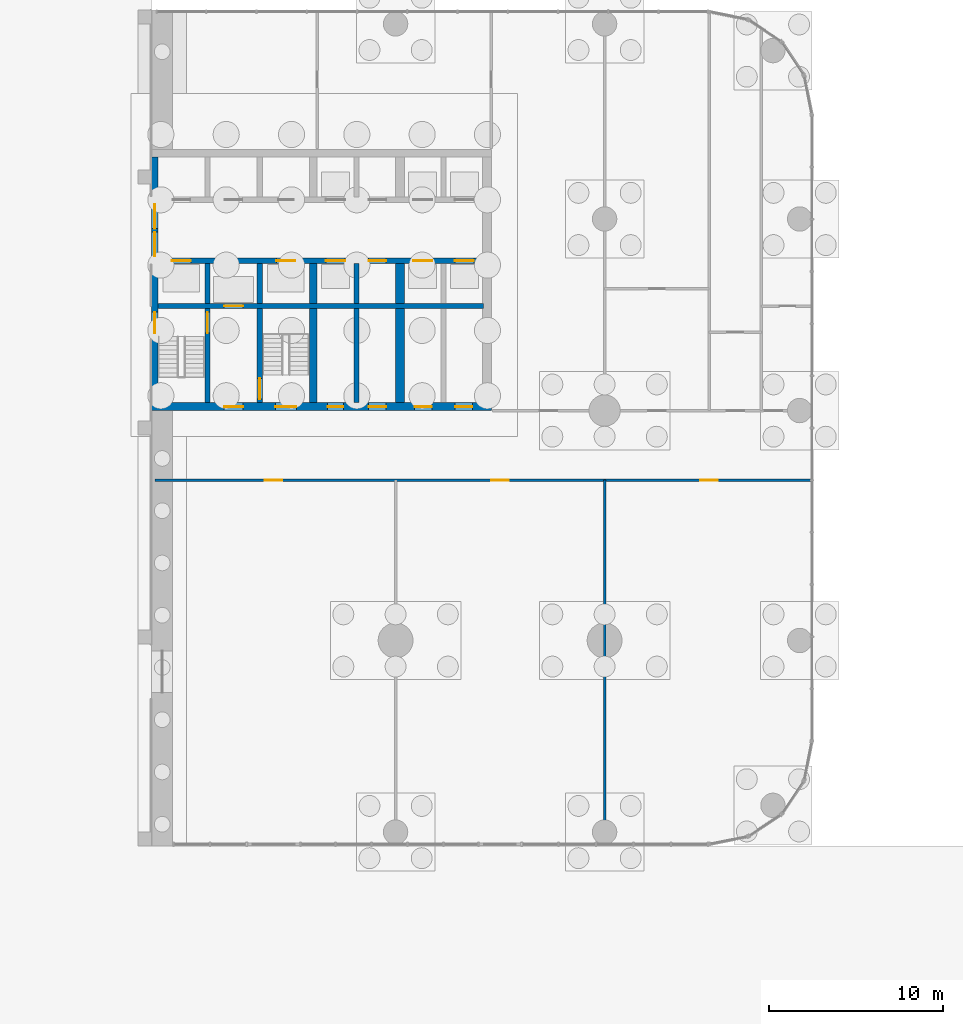
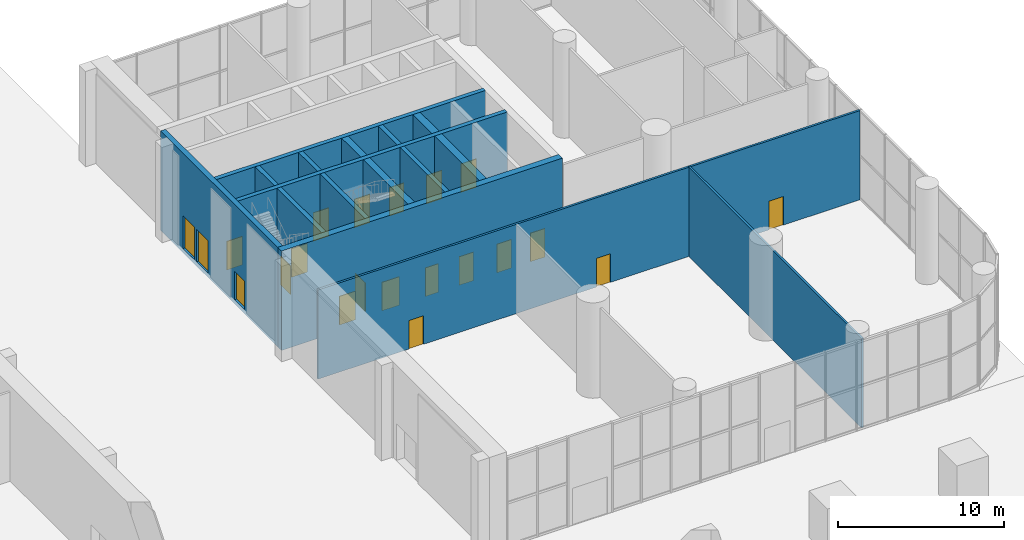
# One storey, part 20 of 26: 21 doors, 16 walls, 21 openings.
"""IFC4 building model written with IfcOpenShell, lengths in metres."""

import ifcopenshell
import ifcopenshell.guid

model = None  # the IFC model being written
_history = None  # IfcOwnerHistory: only IFC2X3 demands one
_inside = {}  # id of a spatial element -> (the spatial element, [elements in it])
_under = {}  # id of a project, library or spatial element -> (it, [spatial elements below it])
_declared = {}  # id of a project -> (the project, [libraries it declares])
_typed = {}  # id of a type object -> (the type object, [elements of that type])
_made_of = {}  # id of a material, layer set ... -> (it, [elements and type objects made of it])


def new_model(schema):
    """Start an empty IFC model of exactly this schema.

    Asked for "IFC4X3", IfcOpenShell would pick the latest addendum, in which some entities
    have other attributes; the version numbers below select the first issue.
    IFC2X3 requires an IfcOwnerHistory on every rooted entity: one is made here for all.
    """
    global model, _history
    if schema == "IFC4X3":
        model = ifcopenshell.file(schema_version=(4, 3, 0, 0))
    else:
        model = ifcopenshell.file(schema=schema)
    _inside.clear()
    _under.clear()
    _declared.clear()
    _typed.clear()
    _made_of.clear()
    _history = None
    if model.schema == "IFC2X3":
        org = make("IfcOrganization", Name="unknown")
        user = make(
            "IfcPersonAndOrganization",
            ThePerson=make("IfcPerson", FamilyName="unknown"),
            TheOrganization=org,
        )
        app = make(
            "IfcApplication",
            ApplicationDeveloper=org,
            Version="unknown",
            ApplicationFullName="unknown",
            ApplicationIdentifier="unknown",
        )
        _history = make(
            "IfcOwnerHistory",
            OwningUser=user,
            OwningApplication=app,
            ChangeAction="ADDED",
            CreationDate=0,
        )
    return model


def make(cls, **values):
    """One entity of the class cls with the attributes given. An attribute that is None is left unset."""
    return model.create_entity(
        cls, **{name: value for name, value in values.items() if value is not None}
    )


def rooted(cls, **values):
    """An entity with a GlobalId (a new one), such as an element, a storey or a relation."""
    return make(cls, GlobalId=ifcopenshell.guid.new(), OwnerHistory=_history, **values)


def si_unit(unit_type, name, prefix=None):
    """IfcSIUnit, for example si_unit("LENGTHUNIT", "METRE", prefix="MILLI")."""
    return make("IfcSIUnit", UnitType=unit_type, Prefix=prefix, Name=name)


def assignment(units):
    """IfcUnitAssignment: the units of a project."""
    return None if units is None else make("IfcUnitAssignment", Units=units)


def point(xyz):
    """IfcCartesianPoint."""
    return None if xyz is None else make("IfcCartesianPoint", Coordinates=xyz)


def direction(xyz):
    """IfcDirection."""
    return None if xyz is None else make("IfcDirection", DirectionRatios=xyz)


def frame(location, z_axis=None, x_axis=None):
    """IfcAxis2Placement3D, a coordinate frame: its origin and axes. An axis left out is left unset."""
    return make(
        "IfcAxis2Placement3D",
        Location=point(location),
        Axis=direction(z_axis),
        RefDirection=direction(x_axis),
    )


def frame_2d(location, x_axis=None):
    """IfcAxis2Placement2D, a coordinate frame in the plane: its origin and x axis."""
    return make(
        "IfcAxis2Placement2D", Location=point(location), RefDirection=direction(x_axis)
    )


def origin():
    """The frame at (0, 0, 0) with its axes left unset."""
    return frame((0.0, 0.0, 0.0))


def place(relative_to, where):
    """IfcLocalPlacement: puts the frame where relative to a parent placement (None: the world)."""
    return make(
        "IfcLocalPlacement", PlacementRelTo=relative_to, RelativePlacement=where
    )


def context(
    kind, dimensions, precision=None, world=None, true_north=None, identifier=None
):
    """IfcGeometricRepresentationContext, for example the 3D "Model" context."""
    return make(
        "IfcGeometricRepresentationContext",
        ContextIdentifier=identifier,
        ContextType=kind,
        CoordinateSpaceDimension=dimensions,
        Precision=precision,
        WorldCoordinateSystem=world,
        TrueNorth=true_north,
    )


def subcontext(parent, identifier, kind, view, scale=None):
    """IfcGeometricRepresentationSubContext, for example "Body" below "Model"."""
    return make(
        "IfcGeometricRepresentationSubContext",
        ContextIdentifier=identifier,
        ContextType=kind,
        ParentContext=parent,
        TargetScale=scale,
        TargetView=view,
    )


def project(units=None, contexts=None):
    """IfcProject with its units and contexts."""
    return rooted(
        "IfcProject",
        Name="project",
        RepresentationContexts=contexts,
        UnitsInContext=assignment(units),
    )


def spatial(cls, under=None, at=None, **own):
    """A site, building, storey or space (cls), placed at a placement, below another one or the project."""
    s = rooted(cls, ObjectPlacement=at, **own)
    if under is not None:
        _under.setdefault(under.id(), (under, []))[1].append(s)
    return s


def profile(cls, at=None, kind="AREA", **sizes):
    """A parametric profile (cls). Its sizes go by their IFC names, for example OverallWidth=200.0."""
    return make(cls, ProfileType=kind, Position=at, **sizes)


def rectangle(**sizes):
    """IfcRectangleProfileDef."""
    return profile("IfcRectangleProfileDef", **sizes)


def extrude(swept, where, along, depth):
    """IfcExtrudedAreaSolid: the profile swept, set in the frame where, extruded along a direction by depth."""
    return make(
        "IfcExtrudedAreaSolid",
        SweptArea=swept,
        Position=where,
        ExtrudedDirection=direction(along),
        Depth=depth,
    )


def shape(context_of_items, identifier, shape_type, items):
    """IfcShapeRepresentation: the items that make up one representation, for example the "Body"."""
    return make(
        "IfcShapeRepresentation",
        ContextOfItems=context_of_items,
        RepresentationIdentifier=identifier,
        RepresentationType=shape_type,
        Items=items,
    )


def material(Name=None, Category=None):
    """IfcMaterial."""
    return make("IfcMaterial", Name=Name, Category=Category)


def layer(
    of_material, thickness, ventilated=None, Name=None, Category=None, Priority=None
):
    """IfcMaterialLayer: one layer of a wall or slab, of a material (None: an air gap)."""
    return make(
        "IfcMaterialLayer",
        Material=of_material,
        LayerThickness=thickness,
        IsVentilated=ventilated,
        Name=Name,
        Category=Category,
        Priority=Priority,
    )


def layer_set(layers, Name=None):
    """IfcMaterialLayerSet."""
    return make("IfcMaterialLayerSet", MaterialLayers=layers, LayerSetName=Name)


def made_of(thing, what):
    """Note that an element or type object is made of a material, layer set ...; save() writes the relation."""
    if what is not None:
        _made_of.setdefault(what.id(), (what, []))[1].append(thing)
    return thing


def type_object(cls, material=None, **own):
    """A type object (cls), such as IfcWallType, which elements share."""
    return made_of(rooted(cls, **own), material)


def element(
    cls,
    number,
    at=None,
    inside=None,
    cuts=None,
    type_object=None,
    material=None,
    context=None,
    identifier="Body",
    shape_type=None,
    held_by="IfcProductDefinitionShape",
    body=None,
    shapes=None,
    **own,
):
    """One element of the class cls, such as IfcWall. Its Tag is "e" and its number.

    at: its placement. inside: the storey or other place that contains it. cuts: it is an
    opening in that element (IfcRelVoidsElement). A single representation is given by context,
    identifier, shape_type and body (its items); several are given by shapes. held_by: the class
    of the entity that holds the representations. save() writes the other relations.
    """
    e = rooted(cls, Tag="e%d" % number, ObjectPlacement=at, **own)
    if body is not None:
        shapes = [shape(context, identifier, shape_type, body)]
    if shapes is not None:
        e.Representation = make(held_by, Representations=shapes)
    if inside is not None:
        _inside.setdefault(inside.id(), (inside, []))[1].append(e)
    if cuts is not None:
        rooted(
            "IfcRelVoidsElement", RelatingBuildingElement=cuts, RelatedOpeningElement=e
        )
    if type_object is not None:
        _typed.setdefault(type_object.id(), (type_object, []))[1].append(e)
    return made_of(e, material)


def fill(opening, filler):
    """IfcRelFillsElement: the door or window that sits in an opening."""
    return rooted(
        "IfcRelFillsElement",
        RelatingOpeningElement=opening,
        RelatedBuildingElement=filler,
    )


def aggregate(whole, parts):
    """IfcRelAggregates: a whole, such as a stair, and the parts it consists of."""
    return rooted("IfcRelAggregates", RelatingObject=whole, RelatedObjects=parts)


def save(model, path):
    """Write the relations noted so far, then the file.

    IfcRelAggregates (storeys below a building ...), IfcRelContainedInSpatialStructure (elements
    in a storey), IfcRelDefinesByType, IfcRelAssociatesMaterial and IfcRelDeclares: one each for
    every whole, place, type object, material and project.
    """
    for whole, parts in _under.values():
        aggregate(whole, parts)
    for where, things in _inside.values():
        rooted(
            "IfcRelContainedInSpatialStructure",
            RelatedElements=things,
            RelatingStructure=where,
        )
    for kind, things in _typed.values():
        rooted("IfcRelDefinesByType", RelatedObjects=things, RelatingType=kind)
    for what, things in _made_of.values():
        rooted("IfcRelAssociatesMaterial", RelatedObjects=things, RelatingMaterial=what)
    for by, libraries in _declared.values():
        rooted("IfcRelDeclares", RelatingContext=by, RelatedDefinitions=libraries)
    model.write(path)


model = new_model("IFC4")

# Units and contexts
model_context = context("Model", 3, precision=1e-05, world=origin(), true_north=direction((0.0, 1.0)))
body_context = subcontext(model_context, "Body", "Model", "MODEL_VIEW")
ifc_project = project(units=[si_unit("LENGTHUNIT", "METRE"), si_unit("AREAUNIT", "SQUARE_METRE"), si_unit("VOLUMEUNIT", "CUBIC_METRE"), si_unit("PLANEANGLEUNIT", "RADIAN"), si_unit("MASSUNIT", "GRAM", prefix="KILO")], contexts=[model_context])

# Site, building, storey
site_placement = place(None, origin())
site = spatial("IfcSite", under=ifc_project, at=site_placement, CompositionType="ELEMENT")
building_placement = place(site_placement, origin())
building = spatial("IfcBuilding", under=site, at=building_placement, Name="Torana Hotel and Residences", CompositionType="ELEMENT")
storey_placement = place(building_placement, origin())
storey = spatial("IfcBuildingStorey", under=building, at=storey_placement, Name="L00", CompositionType="ELEMENT", Elevation=0.0)

# Wall, openings, doors
ifc_material_1 = material(Name="Concrete C80/95", Category="concrete")
ifc_layer_1 = layer(ifc_material_1, 0.300048828125)
ifc_layer_set_1 = layer_set([ifc_layer_1], Name="CORE WALL 300 C80/95")
wall_type_1 = type_object("IfcWallType", Name="CORE WALL 300 C80/95", PredefinedType="SHEAR", material=ifc_layer_set_1)
wall_1_placement = place(storey_placement, frame((10.35009765625, -6.39990234375, -0.300048828125), z_axis=(0.0, 0.0, 1.0), x_axis=(1.0, 0.0, 0.0)))
wall_1 = element("IfcWall", 1, at=wall_1_placement, inside=storey, type_object=wall_type_1, Name="Core wall E row-S", PredefinedType="SHEAR", context=body_context, shape_type="SweptSolid", body=[
    extrude(rectangle(XDim=18.699951171875, YDim=0.300048828125, at=frame_2d((9.35009765625, 0.0))), origin(), (0.0, 0.0, 1.0), 7.300048828125),
])
opening_1_placement = place(wall_1_placement, frame((14.64990234375, 0.0, 0.300048828125)))
opening_1 = element("IfcOpeningElement", 2, at=opening_1_placement, cuts=wall_1, Name="Opening LD", PredefinedType="OPENING", context=body_context, shape_type="SweptSolid", body=[
    extrude(rectangle(XDim=1.10009765625, YDim=2.10009765625, at=frame_2d((0.550048828125, 1.050048828125))), frame((0.0, 0.159912109375, 0.0), z_axis=(0.0, -1.0, 0.0), x_axis=(1.0, 0.0, 0.0)), (0.0, 0.0, 1.0), 0.320068359375),
])
opening_2_placement = place(wall_1_placement, frame((17.050048828125, 0.0, 0.300048828125)))
opening_2 = element("IfcOpeningElement", 3, at=opening_2_placement, cuts=wall_1, Name="Opening LD", PredefinedType="OPENING", context=body_context, shape_type="SweptSolid", body=[
    extrude(rectangle(XDim=1.10009765625, YDim=2.10009765625, at=frame_2d((0.550048828125, 1.050048828125))), frame((0.0, 0.159912109375, 0.0), z_axis=(0.0, -1.0, 0.0), x_axis=(1.0, 0.0, 0.0)), (0.0, 0.0, 1.0), 0.320068359375),
])
opening_3_placement = place(wall_1_placement, frame((9.64990234375, 0.0, 0.300048828125)))
opening_3 = element("IfcOpeningElement", 4, at=opening_3_placement, cuts=wall_1, Name="Opening LD", PredefinedType="OPENING", context=body_context, shape_type="SweptSolid", body=[
    extrude(rectangle(XDim=1.10009765625, YDim=2.10009765625, at=frame_2d((0.550048828125, 1.050048828125))), frame((0.0, 0.159912109375, 0.0), z_axis=(0.0, -1.0, 0.0), x_axis=(1.0, 0.0, 0.0)), (0.0, 0.0, 1.0), 0.320068359375),
])
opening_4_placement = place(wall_1_placement, frame((0.800048828125, 0.0, 0.300048828125)))
opening_4 = element("IfcOpeningElement", 5, at=opening_4_placement, cuts=wall_1, Name="Opening LD", PredefinedType="OPENING", context=body_context, shape_type="SweptSolid", body=[
    extrude(rectangle(XDim=1.10009765625, YDim=2.10009765625, at=frame_2d((0.550048828125, 1.050048828125))), frame((0.0, 0.159912109375, 0.0), z_axis=(0.0, -1.0, 0.0), x_axis=(1.0, 0.0, 0.0)), (0.0, 0.0, 1.0), 0.320068359375),
])
opening_5_placement = place(wall_1_placement, frame((6.800048828125, 0.0, 0.300048828125)))
opening_5 = element("IfcOpeningElement", 6, at=opening_5_placement, cuts=wall_1, Name="Opening LD", PredefinedType="OPENING", context=body_context, shape_type="SweptSolid", body=[
    extrude(rectangle(XDim=1.10009765625, YDim=2.10009765625, at=frame_2d((0.550048828125, 1.050048828125))), frame((0.0, 0.159912109375, 0.0), z_axis=(0.0, -1.0, 0.0), x_axis=(1.0, 0.0, 0.0)), (0.0, 0.0, 1.0), 0.320068359375),
])
opening_6_placement = place(wall_1_placement, frame((12.10009765625, 0.0, 0.300048828125)))
opening_6 = element("IfcOpeningElement", 7, at=opening_6_placement, cuts=wall_1, Name="Opening L00-30", PredefinedType="OPENING", context=body_context, shape_type="SweptSolid", body=[
    extrude(rectangle(XDim=1.0, YDim=2.10009765625, at=frame_2d((0.5, 1.050048828125))), frame((0.0, 0.159912109375, 0.0), z_axis=(0.0, -1.0, 0.0), x_axis=(1.0, 0.0, 0.0)), (0.0, 0.0, 1.0), 0.320068359375),
])
ifc_material_2 = material(Name="Steel S235", Category="steel")
door_type_1 = type_object("IfcDoorType", Name="CORE ROOM FIRE DOOR D14 1000x2100", OperationType="SINGLE_SWING_LEFT", PredefinedType="DOOR", material=ifc_material_2)
door_1_placement = place(opening_6_placement, frame((0.5, 0.0, 0.0), z_axis=(0.0, 0.0, 1.0), x_axis=(-1.0, 0.0, 0.0)))
door_1 = element("IfcDoor", 8, at=door_1_placement, inside=storey, type_object=door_type_1, Name="Free-M4 door L00", OperationType="SINGLE_SWING_LEFT", OverallHeight=2.10009765625, OverallWidth=1.0, PredefinedType="DOOR", context=body_context, shape_type="SweptSolid", body=[
    extrude(rectangle(XDim=1.0, YDim=2.10009765625, at=frame_2d((0.0, 1.050048828125))), frame((0.0, -0.02490234375, 0.0), z_axis=(0.0, 1.0, 0.0), x_axis=(-1.0, 0.0, 0.0)), (0.0, 0.0, 1.0), 0.050048828125),
])
fill(opening_6, door_1)
ifc_material_3 = material(Name="Stainless steel 316", Category="steel")
door_type_2 = type_object("IfcDoorType", Name="LIFT LANDING DOOR LD 1100x2100", OperationType="DOUBLE_DOOR_SLIDING", PredefinedType="USERDEFINED", material=ifc_material_3)
door_2_placement = place(opening_1_placement, origin())
door_2 = element("IfcDoor", 9, at=door_2_placement, inside=storey, type_object=door_type_2, Name="Lift landing door L7 L00", ObjectType="LIFT LANDING DOOR", OperationType="DOUBLE_DOOR_SLIDING", OverallHeight=2.10009765625, OverallWidth=1.10009765625, PredefinedType="USERDEFINED", context=body_context, shape_type="SweptSolid", body=[
    extrude(rectangle(XDim=1.10009765625, YDim=2.10009765625, at=frame_2d((0.550048828125, 1.050048828125))), frame((0.0, 0.02490234375, 0.0), z_axis=(0.0, -1.0, 0.0), x_axis=(1.0, 0.0, 0.0)), (0.0, 0.0, 1.0), 0.050048828125),
])
fill(opening_1, door_2)
door_3_placement = place(opening_2_placement, origin())
door_3 = element("IfcDoor", 10, at=door_3_placement, inside=storey, type_object=door_type_2, Name="Lift landing door L8 L00", ObjectType="LIFT LANDING DOOR", OperationType="DOUBLE_DOOR_SLIDING", OverallHeight=2.10009765625, OverallWidth=1.10009765625, PredefinedType="USERDEFINED", context=body_context, shape_type="SweptSolid", body=[
    extrude(rectangle(XDim=1.10009765625, YDim=2.10009765625, at=frame_2d((0.550048828125, 1.050048828125))), frame((0.0, 0.02490234375, 0.0), z_axis=(0.0, -1.0, 0.0), x_axis=(1.0, 0.0, 0.0)), (0.0, 0.0, 1.0), 0.050048828125),
])
fill(opening_2, door_3)
door_4_placement = place(opening_3_placement, origin())
door_4 = element("IfcDoor", 11, at=door_4_placement, inside=storey, type_object=door_type_2, Name="Lift landing door S4 L00", ObjectType="LIFT LANDING DOOR", OperationType="DOUBLE_DOOR_SLIDING", OverallHeight=2.10009765625, OverallWidth=1.10009765625, PredefinedType="USERDEFINED", context=body_context, shape_type="SweptSolid", body=[
    extrude(rectangle(XDim=1.10009765625, YDim=2.10009765625, at=frame_2d((0.550048828125, 1.050048828125))), frame((0.0, 0.02490234375, 0.0), z_axis=(0.0, -1.0, 0.0), x_axis=(1.0, 0.0, 0.0)), (0.0, 0.0, 1.0), 0.050048828125),
])
fill(opening_3, door_4)
door_5_placement = place(opening_4_placement, origin())
door_5 = element("IfcDoor", 12, at=door_5_placement, inside=storey, type_object=door_type_2, Name="Lift landing door X2 L00", ObjectType="LIFT LANDING DOOR", OperationType="DOUBLE_DOOR_SLIDING", OverallHeight=2.10009765625, OverallWidth=1.10009765625, PredefinedType="USERDEFINED", context=body_context, shape_type="SweptSolid", body=[
    extrude(rectangle(XDim=1.10009765625, YDim=2.10009765625, at=frame_2d((0.550048828125, 1.050048828125))), frame((0.0, 0.02490234375, 0.0), z_axis=(0.0, -1.0, 0.0), x_axis=(1.0, 0.0, 0.0)), (0.0, 0.0, 1.0), 0.050048828125),
])
fill(opening_4, door_5)
door_6_placement = place(opening_5_placement, origin())
door_6 = element("IfcDoor", 13, at=door_6_placement, inside=storey, type_object=door_type_2, Name="Lift landing door SV2 L00", ObjectType="LIFT LANDING DOOR", OperationType="DOUBLE_DOOR_SLIDING", OverallHeight=2.10009765625, OverallWidth=1.10009765625, PredefinedType="USERDEFINED", context=body_context, shape_type="SweptSolid", body=[
    extrude(rectangle(XDim=1.10009765625, YDim=2.10009765625, at=frame_2d((0.550048828125, 1.050048828125))), frame((0.0, 0.02490234375, 0.0), z_axis=(0.0, -1.0, 0.0), x_axis=(1.0, 0.0, 0.0)), (0.0, 0.0, 1.0), 0.050048828125),
])
fill(opening_5, door_6)

# Wall, opening, door
wall_2_placement = place(storey_placement, frame((10.35009765625, -9.0, -0.300048828125), z_axis=(0.0, 0.0, 1.0), x_axis=(1.0, 0.0, 0.0)))
wall_2 = element("IfcWall", 14, at=wall_2_placement, inside=storey, type_object=wall_type_1, Name="Core wall E band", PredefinedType="SHEAR", context=body_context, shape_type="SweptSolid", body=[
    extrude(rectangle(XDim=18.699951171875, YDim=0.300048828125, at=frame_2d((9.35009765625, 0.0))), origin(), (0.0, 0.0, 1.0), 7.300048828125),
])
opening_7_placement = place(wall_2_placement, frame((3.800048828125, 0.0, 0.300048828125)))
opening_7 = element("IfcOpeningElement", 15, at=opening_7_placement, cuts=wall_2, Name="Opening LD", PredefinedType="OPENING", context=body_context, shape_type="SweptSolid", body=[
    extrude(rectangle(XDim=1.10009765625, YDim=2.10009765625, at=frame_2d((0.550048828125, 1.050048828125))), frame((0.0, 0.159912109375, 0.0), z_axis=(0.0, -1.0, 0.0), x_axis=(1.0, 0.0, 0.0)), (0.0, 0.0, 1.0), 0.320068359375),
])
door_7_placement = place(opening_7_placement, origin())
door_7 = element("IfcDoor", 16, at=door_7_placement, inside=storey, type_object=door_type_2, Name="Lift landing door FF2 L00", ObjectType="LIFT LANDING DOOR", OperationType="DOUBLE_DOOR_SLIDING", OverallHeight=2.10009765625, OverallWidth=1.10009765625, PredefinedType="USERDEFINED", context=body_context, shape_type="SweptSolid", body=[
    extrude(rectangle(XDim=1.10009765625, YDim=2.10009765625, at=frame_2d((0.550048828125, 1.050048828125))), frame((0.0, 0.02490234375, 0.0), z_axis=(0.0, -1.0, 0.0), x_axis=(1.0, 0.0, 0.0)), (0.0, 0.0, 1.0), 0.050048828125),
])
fill(opening_7, door_7)

# Wall
wall_3_placement = place(storey_placement, frame((13.199951171875, -8.85009765625, -0.300048828125), z_axis=(0.0, 0.0, 1.0), x_axis=(0.0, 1.0, 0.0)))
element("IfcWall", 17, at=wall_3_placement, inside=storey, type_object=wall_type_1, Name="Core wall E x3.05-S", PredefinedType="SHEAR", context=body_context, shape_type="SweptSolid", body=[
    extrude(rectangle(XDim=2.300048828125, YDim=0.300048828125, at=frame_2d((1.14990234375, 0.0))), origin(), (0.0, 0.0, 1.0), 7.300048828125),
])

# Wall, opening, door
wall_4_placement = place(storey_placement, frame((13.199951171875, -14.550048828125, -0.300048828125), z_axis=(0.0, 0.0, 1.0), x_axis=(0.0, 1.0, 0.0)))
wall_4 = element("IfcWall", 18, at=wall_4_placement, inside=storey, type_object=wall_type_1, Name="Core wall E x3.05-band", PredefinedType="SHEAR", context=body_context, shape_type="SweptSolid", body=[
    extrude(rectangle(XDim=5.400146484375, YDim=0.300048828125, at=frame_2d((2.7001953125, 0.0))), origin(), (0.0, 0.0, 1.0), 7.300048828125),
])
opening_8_placement = place(wall_4_placement, frame((4.0, 0.0, 0.300048828125)))
opening_8 = element("IfcOpeningElement", 19, at=opening_8_placement, cuts=wall_4, Name="Opening L00-31", PredefinedType="OPENING", context=body_context, shape_type="SweptSolid", body=[
    extrude(rectangle(XDim=1.199951171875, YDim=2.10009765625, at=frame_2d((0.60009765625, 1.050048828125))), frame((0.0, 0.159912109375, 0.0), z_axis=(0.0, -1.0, 0.0), x_axis=(1.0, 0.0, 0.0)), (0.0, 0.0, 1.0), 0.320068359375),
])
ifc_material_4 = material(Name="Steel S235", Category="steel")
door_type_3 = type_object("IfcDoorType", Name="STAIR FIRE DOOR D3 1200x2100", OperationType="SINGLE_SWING_LEFT", PredefinedType="DOOR", material=ifc_material_4)
door_8_placement = place(opening_8_placement, origin())
door_8 = element("IfcDoor", 20, at=door_8_placement, inside=storey, type_object=door_type_3, Name="Stair-A-lobby door L00", OperationType="SINGLE_SWING_LEFT", OverallHeight=2.10009765625, OverallWidth=1.199951171875, PredefinedType="DOOR", context=body_context, shape_type="SweptSolid", body=[
    extrude(rectangle(XDim=1.199951171875, YDim=2.10009765625, at=frame_2d((0.60009765625, 1.050048828125))), frame((0.0, 0.02490234375, 0.0), z_axis=(0.0, -1.0, 0.0), x_axis=(1.0, 0.0, 0.0)), (0.0, 0.0, 1.0), 0.050048828125),
])
fill(opening_8, door_8)

# Wall
wall_5_placement = place(storey_placement, frame((16.199951171875, -8.85009765625, -0.300048828125), z_axis=(0.0, 0.0, 1.0), x_axis=(0.0, 1.0, 0.0)))
element("IfcWall", 21, at=wall_5_placement, inside=storey, type_object=wall_type_1, Name="Core wall E x6.05-S", PredefinedType="SHEAR", context=body_context, shape_type="SweptSolid", body=[
    extrude(rectangle(XDim=2.300048828125, YDim=0.300048828125, at=frame_2d((1.14990234375, 0.0))), origin(), (0.0, 0.0, 1.0), 7.300048828125),
])

# Wall, opening, door
wall_6_placement = place(storey_placement, frame((16.199951171875, -14.550048828125, -0.300048828125), z_axis=(0.0, 0.0, 1.0), x_axis=(0.0, 1.0, 0.0)))
wall_6 = element("IfcWall", 22, at=wall_6_placement, inside=storey, type_object=wall_type_1, Name="Core wall E x6.05-band", PredefinedType="SHEAR", context=body_context, shape_type="SweptSolid", body=[
    extrude(rectangle(XDim=5.400146484375, YDim=0.300048828125, at=frame_2d((2.7001953125, 0.0))), origin(), (0.0, 0.0, 1.0), 7.300048828125),
])
opening_9_placement = place(wall_6_placement, frame((0.199951171875, 0.0, 0.300048828125)))
opening_9 = element("IfcOpeningElement", 23, at=opening_9_placement, cuts=wall_6, Name="Opening L00-32", PredefinedType="OPENING", context=body_context, shape_type="SweptSolid", body=[
    extrude(rectangle(XDim=1.199951171875, YDim=2.10009765625, at=frame_2d((0.60009765625, 1.050048828125))), frame((0.0, 0.159912109375, 0.0), z_axis=(0.0, -1.0, 0.0), x_axis=(1.0, 0.0, 0.0)), (0.0, 0.0, 1.0), 0.320068359375),
])
door_9_placement = place(opening_9_placement, frame((0.60009765625, 0.0, 0.0), z_axis=(0.0, 0.0, 1.0), x_axis=(-1.0, 0.0, 0.0)))
door_9 = element("IfcDoor", 24, at=door_9_placement, inside=storey, type_object=door_type_3, Name="Stair-B-lobby door L00", OperationType="SINGLE_SWING_LEFT", OverallHeight=2.10009765625, OverallWidth=1.199951171875, PredefinedType="DOOR", context=body_context, shape_type="SweptSolid", body=[
    extrude(rectangle(XDim=1.199951171875, YDim=2.10009765625, at=frame_2d((0.0, 1.050048828125))), frame((0.0, -0.02490234375, 0.0), z_axis=(0.0, 1.0, 0.0), x_axis=(-1.0, 0.0, 0.0)), (0.0, 0.0, 1.0), 0.050048828125),
])
fill(opening_9, door_9)

# Walls
wall_7_placement = place(storey_placement, frame((21.75, -8.85009765625, -0.300048828125), z_axis=(0.0, 0.0, 1.0), x_axis=(0.0, 1.0, 0.0)))
element("IfcWall", 25, at=wall_7_placement, inside=storey, type_object=wall_type_1, Name="Core wall E mm-S", PredefinedType="SHEAR", context=body_context, shape_type="SweptSolid", body=[
    extrude(rectangle(XDim=2.300048828125, YDim=0.300048828125, at=frame_2d((1.14990234375, 0.0))), origin(), (0.0, 0.0, 1.0), 7.300048828125),
])
wall_8_placement = place(storey_placement, frame((21.75, -14.550048828125, -0.300048828125), z_axis=(0.0, 0.0, 1.0), x_axis=(0.0, 1.0, 0.0)))
element("IfcWall", 26, at=wall_8_placement, inside=storey, type_object=wall_type_1, Name="Core wall E mm-band", PredefinedType="SHEAR", context=body_context, shape_type="SweptSolid", body=[
    extrude(rectangle(XDim=5.400146484375, YDim=0.300048828125, at=frame_2d((2.7001953125, 0.0))), origin(), (0.0, 0.0, 1.0), 7.300048828125),
])

# Wall, openings, doors
ifc_material_5 = material(Name="Concrete C80/95", Category="concrete")
ifc_layer_2 = layer(ifc_material_5, 0.35009765625)
ifc_layer_set_2 = layer_set([ifc_layer_2], Name="CORE WALL 350 C80/95")
wall_type_2 = type_object("IfcWallType", Name="CORE WALL 350 C80/95", PredefinedType="SHEAR", material=ifc_layer_set_2)
wall_9_placement = place(storey_placement, frame((10.175048828125, -14.550048828125, -0.300048828125), z_axis=(0.0, 0.0, 1.0), x_axis=(0.0, 1.0, 0.0)))
wall_9 = element("IfcWall", 27, at=wall_9_placement, inside=storey, type_object=wall_type_2, Name="Core wall E arch", PredefinedType="SHEAR", context=body_context, shape_type="SweptSolid", body=[
    extrude(rectangle(XDim=14.10009765625, YDim=0.35009765625, at=frame_2d((7.050048828125, 0.0))), origin(), (0.0, 0.0, 1.0), 7.300048828125),
])
opening_10_placement = place(wall_9_placement, frame((8.39990234375, 0.0, 0.300048828125)))
opening_10 = element("IfcOpeningElement", 28, at=opening_10_placement, cuts=wall_9, Name="Opening L00-17", PredefinedType="OPENING", context=body_context, shape_type="SweptSolid", body=[
    extrude(rectangle(XDim=1.39990234375, YDim=2.39990234375, at=frame_2d((0.699951171875, 1.199951171875))), frame((0.0, 0.18505859375, 0.0), z_axis=(0.0, -1.0, 0.0), x_axis=(1.0, 0.0, 0.0)), (0.0, 0.0, 1.0), 0.3701171875),
])
opening_11_placement = place(wall_9_placement, frame((10.0, 0.0, 0.300048828125)))
opening_11 = element("IfcOpeningElement", 29, at=opening_11_placement, cuts=wall_9, Name="Opening L00-18", PredefinedType="OPENING", context=body_context, shape_type="SweptSolid", body=[
    extrude(rectangle(XDim=1.39990234375, YDim=2.39990234375, at=frame_2d((0.699951171875, 1.199951171875))), frame((0.0, 0.18505859375, 0.0), z_axis=(0.0, -1.0, 0.0), x_axis=(1.0, 0.0, 0.0)), (0.0, 0.0, 1.0), 0.3701171875),
])
opening_12_placement = place(wall_9_placement, frame((4.0, 0.0, 0.300048828125)))
opening_12 = element("IfcOpeningElement", 30, at=opening_12_placement, cuts=wall_9, Name="Opening L00-19", PredefinedType="OPENING", context=body_context, shape_type="SweptSolid", body=[
    extrude(rectangle(XDim=1.199951171875, YDim=2.10009765625, at=frame_2d((0.60009765625, 1.050048828125))), frame((0.0, 0.18505859375, 0.0), z_axis=(0.0, -1.0, 0.0), x_axis=(1.0, 0.0, 0.0)), (0.0, 0.0, 1.0), 0.3701171875),
])
ifc_material_6 = material(Name="Steel S235", Category="steel")
door_type_4 = type_object("IfcDoorType", Name="LOBBY FIRE DOOR D4 1400x2400", OperationType="DOUBLE_DOOR_SINGLE_SWING", PredefinedType="DOOR", material=ifc_material_6)
door_10_placement = place(opening_10_placement, origin())
door_10 = element("IfcDoor", 31, at=door_10_placement, inside=storey, type_object=door_type_4, Name="Lobby-1 door L00", OperationType="DOUBLE_DOOR_SINGLE_SWING", OverallHeight=2.39990234375, OverallWidth=1.39990234375, PredefinedType="DOOR", context=body_context, shape_type="SweptSolid", body=[
    extrude(rectangle(XDim=1.39990234375, YDim=2.39990234375, at=frame_2d((0.699951171875, 1.199951171875))), frame((0.0, 0.02490234375, 0.0), z_axis=(0.0, -1.0, 0.0), x_axis=(1.0, 0.0, 0.0)), (0.0, 0.0, 1.0), 0.050048828125),
])
fill(opening_10, door_10)
door_11_placement = place(opening_11_placement, origin())
door_11 = element("IfcDoor", 32, at=door_11_placement, inside=storey, type_object=door_type_4, Name="Lobby-2 door L00", OperationType="DOUBLE_DOOR_SINGLE_SWING", OverallHeight=2.39990234375, OverallWidth=1.39990234375, PredefinedType="DOOR", context=body_context, shape_type="SweptSolid", body=[
    extrude(rectangle(XDim=1.39990234375, YDim=2.39990234375, at=frame_2d((0.699951171875, 1.199951171875))), frame((0.0, 0.02490234375, 0.0), z_axis=(0.0, -1.0, 0.0), x_axis=(1.0, 0.0, 0.0)), (0.0, 0.0, 1.0), 0.050048828125),
])
fill(opening_11, door_11)
door_12_placement = place(opening_12_placement, origin())
door_12 = element("IfcDoor", 33, at=door_12_placement, inside=storey, type_object=door_type_3, Name="Stair-A door L00", OperationType="SINGLE_SWING_RIGHT", OverallHeight=2.10009765625, OverallWidth=1.199951171875, PredefinedType="DOOR", context=body_context, shape_type="SweptSolid", body=[
    extrude(rectangle(XDim=1.199951171875, YDim=2.10009765625, at=frame_2d((0.60009765625, 1.050048828125))), frame((0.0, 0.02490234375, 0.0), z_axis=(0.0, -1.0, 0.0), x_axis=(1.0, 0.0, 0.0)), (0.0, 0.0, 1.0), 0.050048828125),
])
fill(opening_12, door_12)

ifc_material_7 = material(Name="Concrete C80/95", Category="concrete")
ifc_layer_3 = layer(ifc_material_7, 0.449951171875)
ifc_layer_set_3 = layer_set([ifc_layer_3], Name="CORE WALL 450 C80/95")
wall_type_3 = type_object("IfcWallType", Name="CORE WALL 450 C80/95", PredefinedType="SHEAR", material=ifc_layer_set_3)
wall_10_placement = place(storey_placement, frame((10.0, -14.77490234375, -0.300048828125), z_axis=(0.0, 0.0, 1.0), x_axis=(1.0, 0.0, 0.0)))
wall_10 = element("IfcWall", 34, at=wall_10_placement, inside=storey, type_object=wall_type_3, Name="Core wall E front", PredefinedType="SHEAR", context=body_context, shape_type="SweptSolid", body=[
    extrude(rectangle(XDim=19.5, YDim=0.449951171875, at=frame_2d((9.75, 0.0))), origin(), (0.0, 0.0, 1.0), 7.300048828125),
])
opening_13_placement = place(wall_10_placement, frame((7.10009765625, 0.0, 0.300048828125)))
opening_13 = element("IfcOpeningElement", 35, at=opening_13_placement, cuts=wall_10, Name="Opening L00-20", PredefinedType="OPENING", context=body_context, shape_type="SweptSolid", body=[
    extrude(rectangle(XDim=1.199951171875, YDim=2.10009765625, at=frame_2d((0.60009765625, 1.050048828125))), frame((0.0, 0.23486328125, 0.0), z_axis=(0.0, -1.0, 0.0), x_axis=(1.0, 0.0, 0.0)), (0.0, 0.0, 1.0), 0.469970703125),
])
opening_14_placement = place(wall_10_placement, frame((4.14990234375, 0.0, 0.300048828125)))
opening_14 = element("IfcOpeningElement", 36, at=opening_14_placement, cuts=wall_10, Name="Opening L00-21", PredefinedType="OPENING", context=body_context, shape_type="SweptSolid", body=[
    extrude(rectangle(XDim=1.10009765625, YDim=2.10009765625, at=frame_2d((0.550048828125, 1.050048828125))), frame((0.0, 0.23486328125, 0.0), z_axis=(0.0, -1.0, 0.0), x_axis=(1.0, 0.0, 0.0)), (0.0, 0.0, 1.0), 0.469970703125),
])
opening_15_placement = place(wall_10_placement, frame((10.10009765625, 0.0, 0.300048828125)))
opening_15 = element("IfcOpeningElement", 37, at=opening_15_placement, cuts=wall_10, Name="Opening L00-22", PredefinedType="OPENING", context=body_context, shape_type="SweptSolid", body=[
    extrude(rectangle(XDim=0.89990234375, YDim=2.10009765625, at=frame_2d((0.449951171875, 1.050048828125))), frame((0.0, 0.23486328125, 0.0), z_axis=(0.0, -1.0, 0.0), x_axis=(1.0, 0.0, 0.0)), (0.0, 0.0, 1.0), 0.469970703125),
])
opening_16_placement = place(wall_10_placement, frame((12.449951171875, 0.0, 0.300048828125)))
opening_16 = element("IfcOpeningElement", 38, at=opening_16_placement, cuts=wall_10, Name="Opening L00-23", PredefinedType="OPENING", context=body_context, shape_type="SweptSolid", body=[
    extrude(rectangle(XDim=1.0, YDim=2.10009765625, at=frame_2d((0.5, 1.050048828125))), frame((0.0, 0.23486328125, 0.0), z_axis=(0.0, -1.0, 0.0), x_axis=(1.0, 0.0, 0.0)), (0.0, 0.0, 1.0), 0.469970703125),
])
opening_17_placement = place(wall_10_placement, frame((15.08740234375, 0.0, 0.300048828125)))
opening_17 = element("IfcOpeningElement", 39, at=opening_17_placement, cuts=wall_10, Name="Opening L00-24", PredefinedType="OPENING", context=body_context, shape_type="SweptSolid", body=[
    extrude(rectangle(XDim=1.0, YDim=2.10009765625, at=frame_2d((0.5, 1.050048828125))), frame((0.0, 0.23486328125, 0.0), z_axis=(0.0, -1.0, 0.0), x_axis=(1.0, 0.0, 0.0)), (0.0, 0.0, 1.0), 0.469970703125),
])
opening_18_placement = place(wall_10_placement, frame((17.41259765625, 0.0, 0.300048828125)))
opening_18 = element("IfcOpeningElement", 40, at=opening_18_placement, cuts=wall_10, Name="Opening L00-25", PredefinedType="OPENING", context=body_context, shape_type="SweptSolid", body=[
    extrude(rectangle(XDim=1.0, YDim=2.10009765625, at=frame_2d((0.5, 1.050048828125))), frame((0.0, 0.23486328125, 0.0), z_axis=(0.0, -1.0, 0.0), x_axis=(1.0, 0.0, 0.0)), (0.0, 0.0, 1.0), 0.469970703125),
])
door_13_placement = place(opening_16_placement, origin())
door_13 = element("IfcDoor", 41, at=door_13_placement, inside=storey, type_object=door_type_1, Name="M-Room door L00", OperationType="SINGLE_SWING_RIGHT", OverallHeight=2.10009765625, OverallWidth=1.0, PredefinedType="DOOR", context=body_context, shape_type="SweptSolid", body=[
    extrude(rectangle(XDim=1.0, YDim=2.10009765625, at=frame_2d((0.5, 1.050048828125))), frame((0.0, 0.02490234375, 0.0), z_axis=(0.0, -1.0, 0.0), x_axis=(1.0, 0.0, 0.0)), (0.0, 0.0, 1.0), 0.050048828125),
])
fill(opening_16, door_13)
door_14_placement = place(opening_17_placement, origin())
door_14 = element("IfcDoor", 42, at=door_14_placement, inside=storey, type_object=door_type_1, Name="L-A door L00", OperationType="SINGLE_SWING_RIGHT", OverallHeight=2.10009765625, OverallWidth=1.0, PredefinedType="DOOR", context=body_context, shape_type="SweptSolid", body=[
    extrude(rectangle(XDim=1.0, YDim=2.10009765625, at=frame_2d((0.5, 1.050048828125))), frame((0.0, 0.02490234375, 0.0), z_axis=(0.0, -1.0, 0.0), x_axis=(1.0, 0.0, 0.0)), (0.0, 0.0, 1.0), 0.050048828125),
])
fill(opening_17, door_14)
door_15_placement = place(opening_18_placement, origin())
door_15 = element("IfcDoor", 43, at=door_15_placement, inside=storey, type_object=door_type_1, Name="L-B door L00", OperationType="SINGLE_SWING_RIGHT", OverallHeight=2.10009765625, OverallWidth=1.0, PredefinedType="DOOR", context=body_context, shape_type="SweptSolid", body=[
    extrude(rectangle(XDim=1.0, YDim=2.10009765625, at=frame_2d((0.5, 1.050048828125))), frame((0.0, 0.02490234375, 0.0), z_axis=(0.0, -1.0, 0.0), x_axis=(1.0, 0.0, 0.0)), (0.0, 0.0, 1.0), 0.050048828125),
])
fill(opening_18, door_15)
ifc_material_8 = material(Name="Steel S235", Category="steel")
door_type_5 = type_object("IfcDoorType", Name="FIRE-FIGHTING LOBBY DOOR D8 1100x2100", OperationType="SINGLE_SWING_LEFT", PredefinedType="DOOR", material=ifc_material_8)
door_16_placement = place(opening_14_placement, origin())
door_16 = element("IfcDoor", 44, at=door_16_placement, inside=storey, type_object=door_type_5, Name="FF-lobby door L00", OperationType="SINGLE_SWING_RIGHT", OverallHeight=2.10009765625, OverallWidth=1.10009765625, PredefinedType="DOOR", context=body_context, shape_type="SweptSolid", body=[
    extrude(rectangle(XDim=1.10009765625, YDim=2.10009765625, at=frame_2d((0.550048828125, 1.050048828125))), frame((0.0, 0.02490234375, 0.0), z_axis=(0.0, -1.0, 0.0), x_axis=(1.0, 0.0, 0.0)), (0.0, 0.0, 1.0), 0.050048828125),
])
fill(opening_14, door_16)
ifc_material_9 = material(Name="Steel S235", Category="steel")
door_type_6 = type_object("IfcDoorType", Name="RISER ACCESS DOOR D5 900x2100", OperationType="SINGLE_SWING_LEFT", PredefinedType="DOOR", material=ifc_material_9)
door_17_placement = place(opening_15_placement, origin())
door_17 = element("IfcDoor", 45, at=door_17_placement, inside=storey, type_object=door_type_6, Name="M-Riser door L00", OperationType="SINGLE_SWING_RIGHT", OverallHeight=2.10009765625, OverallWidth=0.89990234375, PredefinedType="DOOR", context=body_context, shape_type="SweptSolid", body=[
    extrude(rectangle(XDim=0.89990234375, YDim=2.10009765625, at=frame_2d((0.449951171875, 1.050048828125))), frame((0.0, 0.02490234375, 0.0), z_axis=(0.0, -1.0, 0.0), x_axis=(1.0, 0.0, 0.0)), (0.0, 0.0, 1.0), 0.050048828125),
])
fill(opening_15, door_17)
door_18_placement = place(opening_13_placement, origin())
door_18 = element("IfcDoor", 46, at=door_18_placement, inside=storey, type_object=door_type_3, Name="Stair-B door L00", OperationType="SINGLE_SWING_RIGHT", OverallHeight=2.10009765625, OverallWidth=1.199951171875, PredefinedType="DOOR", context=body_context, shape_type="SweptSolid", body=[
    extrude(rectangle(XDim=1.199951171875, YDim=2.10009765625, at=frame_2d((0.60009765625, 1.050048828125))), frame((0.0, 0.02490234375, 0.0), z_axis=(0.0, -1.0, 0.0), x_axis=(1.0, 0.0, 0.0)), (0.0, 0.0, 1.0), 0.050048828125),
])
fill(opening_13, door_18)

# Walls
wall_11_placement = place(storey_placement, frame((19.27490234375, -8.85009765625, -0.300048828125), z_axis=(0.0, 0.0, 1.0), x_axis=(0.0, 1.0, 0.0)))
element("IfcWall", 47, at=wall_11_placement, inside=storey, type_object=wall_type_3, Name="Core wall E hm-S", PredefinedType="SHEAR", context=body_context, shape_type="SweptSolid", body=[
    extrude(rectangle(XDim=2.300048828125, YDim=0.449951171875, at=frame_2d((1.14990234375, 0.0))), origin(), (0.0, 0.0, 1.0), 7.300048828125),
])
wall_12_placement = place(storey_placement, frame((19.27490234375, -14.550048828125, -0.300048828125), z_axis=(0.0, 0.0, 1.0), x_axis=(0.0, 1.0, 0.0)))
element("IfcWall", 48, at=wall_12_placement, inside=storey, type_object=wall_type_3, Name="Core wall E hm-band", PredefinedType="SHEAR", context=body_context, shape_type="SweptSolid", body=[
    extrude(rectangle(XDim=5.400146484375, YDim=0.449951171875, at=frame_2d((2.7001953125, 0.0))), origin(), (0.0, 0.0, 1.0), 7.300048828125),
])
ifc_material_10 = material(Name="Concrete C80/95", Category="concrete")
ifc_layer_4 = layer(ifc_material_10, 0.5)
ifc_layer_set_4 = layer_set([ifc_layer_4], Name="CORE WALL 500 C80/95")
wall_type_4 = type_object("IfcWallType", Name="CORE WALL 500 C80/95", PredefinedType="SHEAR", material=ifc_layer_set_4)
wall_13_placement = place(storey_placement, frame((24.25, -8.85009765625, -0.300048828125), z_axis=(0.0, 0.0, 1.0), x_axis=(0.0, 1.0, 0.0)))
element("IfcWall", 49, at=wall_13_placement, inside=storey, type_object=wall_type_4, Name="Core wall E ml-S", PredefinedType="SHEAR", context=body_context, shape_type="SweptSolid", body=[
    extrude(rectangle(XDim=2.300048828125, YDim=0.5, at=frame_2d((1.14990234375, 0.0))), origin(), (0.0, 0.0, 1.0), 7.300048828125),
])
wall_14_placement = place(storey_placement, frame((24.25, -14.550048828125, -0.300048828125), z_axis=(0.0, 0.0, 1.0), x_axis=(0.0, 1.0, 0.0)))
element("IfcWall", 50, at=wall_14_placement, inside=storey, type_object=wall_type_4, Name="Core wall E ml-band", PredefinedType="SHEAR", context=body_context, shape_type="SweptSolid", body=[
    extrude(rectangle(XDim=5.400146484375, YDim=0.5, at=frame_2d((2.7001953125, 0.0))), origin(), (0.0, 0.0, 1.0), 7.300048828125),
])

# Wall, openings, doors
ifc_material_11 = material(Name="Gypsum plaster")
ifc_layer_5 = layer(ifc_material_11, 0.014892578125, Name="Plaster", Category="finish")
ifc_material_12 = material(Name="Concrete blockwork", Category="masonry")
ifc_layer_6 = layer(ifc_material_12, 0.1201171875, Name="Blockwork", Category="structure")
ifc_layer_7 = layer(ifc_material_11, 0.014892578125, Name="Plaster", Category="finish")
ifc_layer_set_5 = layer_set([ifc_layer_5, ifc_layer_6, ifc_layer_7], Name="FIRE PARTITION 150 BLOCKWORK")
wall_type_5 = type_object("IfcWallType", Name="FIRE PARTITION 150 BLOCKWORK", PredefinedType="PARTITIONING", material=ifc_layer_set_5)
wall_15_placement = place(storey_placement, frame((10.179931640625, -19.0, 0.0), z_axis=(0.0, 0.0, 1.0), x_axis=(1.0, 0.0, 0.0)))
wall_15 = element("IfcWall", 51, at=wall_15_placement, inside=storey, type_object=wall_type_5, Name="Partition L00", PredefinedType="PARTITIONING", context=body_context, shape_type="SweptSolid", body=[
    extrude(rectangle(XDim=37.64013671875, YDim=0.14990234375, at=frame_2d((18.820068359375, 0.0))), origin(), (0.0, 0.0, 1.0), 6.550048828125),
])
opening_19_placement = place(wall_15_placement, frame((31.320068359375, 0.0, 0.0)))
opening_19 = element("IfcOpeningElement", 52, at=opening_19_placement, cuts=wall_15, Name="Opening L00-33", PredefinedType="OPENING", context=body_context, shape_type="SweptSolid", body=[
    extrude(rectangle(XDim=1.0, YDim=2.10009765625, at=frame_2d((0.5, 1.050048828125))), frame((0.0, 0.0849609375, 0.0), z_axis=(0.0, -1.0, 0.0), x_axis=(1.0, 0.0, 0.0)), (0.0, 0.0, 1.0), 0.169921875),
])
opening_20_placement = place(wall_15_placement, frame((19.320068359375, 0.0, 0.0)))
opening_20 = element("IfcOpeningElement", 53, at=opening_20_placement, cuts=wall_15, Name="Opening L00-34", PredefinedType="OPENING", context=body_context, shape_type="SweptSolid", body=[
    extrude(rectangle(XDim=1.0, YDim=2.10009765625, at=frame_2d((0.5, 1.050048828125))), frame((0.0, 0.0849609375, 0.0), z_axis=(0.0, -1.0, 0.0), x_axis=(1.0, 0.0, 0.0)), (0.0, 0.0, 1.0), 0.169921875),
])
opening_21_placement = place(wall_15_placement, frame((6.320068359375, 0.0, 0.0)))
opening_21 = element("IfcOpeningElement", 54, at=opening_21_placement, cuts=wall_15, Name="Opening L00-35", PredefinedType="OPENING", context=body_context, shape_type="SweptSolid", body=[
    extrude(rectangle(XDim=1.0, YDim=2.10009765625, at=frame_2d((0.5, 1.050048828125))), frame((0.0, 0.0849609375, 0.0), z_axis=(0.0, -1.0, 0.0), x_axis=(1.0, 0.0, 0.0)), (0.0, 0.0, 1.0), 0.169921875),
])
ifc_material_13 = material(Name="Steel S235", Category="steel")
door_type_7 = type_object("IfcDoorType", Name="ENTRY FIRE DOOR D6 1000x2100", OperationType="SINGLE_SWING_LEFT", PredefinedType="DOOR", material=ifc_material_13)
door_19_placement = place(opening_19_placement, frame((0.5, 0.0, 0.0), z_axis=(0.0, 0.0, 1.0), x_axis=(-1.0, 0.0, 0.0)))
door_19 = element("IfcDoor", 55, at=door_19_placement, inside=storey, type_object=door_type_7, Name="Door L00", OperationType="SINGLE_SWING_LEFT", OverallHeight=2.10009765625, OverallWidth=1.0, PredefinedType="DOOR", context=body_context, shape_type="SweptSolid", body=[
    extrude(rectangle(XDim=1.0, YDim=2.10009765625, at=frame_2d((0.0, 1.050048828125))), frame((0.0, -0.02490234375, 0.0), z_axis=(0.0, 1.0, 0.0), x_axis=(-1.0, 0.0, 0.0)), (0.0, 0.0, 1.0), 0.050048828125),
])
fill(opening_19, door_19)
door_20_placement = place(opening_20_placement, frame((0.5, 0.0, 0.0), z_axis=(0.0, 0.0, 1.0), x_axis=(-1.0, 0.0, 0.0)))
door_20 = element("IfcDoor", 56, at=door_20_placement, inside=storey, type_object=door_type_7, Name="Door L00", OperationType="SINGLE_SWING_LEFT", OverallHeight=2.10009765625, OverallWidth=1.0, PredefinedType="DOOR", context=body_context, shape_type="SweptSolid", body=[
    extrude(rectangle(XDim=1.0, YDim=2.10009765625, at=frame_2d((0.0, 1.050048828125))), frame((0.0, -0.02490234375, 0.0), z_axis=(0.0, 1.0, 0.0), x_axis=(-1.0, 0.0, 0.0)), (0.0, 0.0, 1.0), 0.050048828125),
])
fill(opening_20, door_20)
door_21_placement = place(opening_21_placement, origin())
door_21 = element("IfcDoor", 57, at=door_21_placement, inside=storey, type_object=door_type_7, Name="Door L00", OperationType="SINGLE_SWING_RIGHT", OverallHeight=2.10009765625, OverallWidth=1.0, PredefinedType="DOOR", context=body_context, shape_type="SweptSolid", body=[
    extrude(rectangle(XDim=1.0, YDim=2.10009765625, at=frame_2d((0.5, 1.050048828125))), frame((0.0, 0.02490234375, 0.0), z_axis=(0.0, -1.0, 0.0), x_axis=(1.0, 0.0, 0.0)), (0.0, 0.0, 1.0), 0.050048828125),
])
fill(opening_21, door_21)

# Wall
ifc_material_14 = material(Name="Gypsum plasterboard")
ifc_layer_8 = layer(ifc_material_14, 0.012451171875, Name="Plasterboard", Category="finish")
ifc_layer_9 = layer(ifc_material_14, 0.012451171875, Name="Plasterboard", Category="finish")
ifc_material_15 = material(Name="Steel S280GD", Category="steel")
ifc_layer_10 = layer(ifc_material_15, 0.10009765625, Name="Steel studs with mineral wool", Category="insulation")
ifc_layer_11 = layer(ifc_material_14, 0.012451171875, Name="Plasterboard", Category="finish")
ifc_layer_12 = layer(ifc_material_14, 0.012451171875, Name="Plasterboard", Category="finish")
ifc_layer_set_6 = layer_set([ifc_layer_8, ifc_layer_9, ifc_layer_10, ifc_layer_11, ifc_layer_12], Name="PARTITION 150 PLASTERBOARD")
wall_type_6 = type_object("IfcWallType", Name="PARTITION 150 PLASTERBOARD", PredefinedType="PARTITIONING", material=ifc_layer_set_6)
wall_16_placement = place(storey_placement, frame((36.0, -39.820068359375, 0.0), z_axis=(0.0, 0.0, 1.0), x_axis=(0.0, 1.0, 0.0)))
element("IfcWall", 58, at=wall_16_placement, inside=storey, type_object=wall_type_6, Name="Partition L00", PredefinedType="PARTITIONING", context=body_context, shape_type="SweptSolid", body=[
    extrude(rectangle(XDim=20.820068359375, YDim=0.14990234375, at=frame_2d((10.41015625, 0.0))), origin(), (0.0, 0.0, 1.0), 6.550048828125),
])

save(model, "model.ifc")
